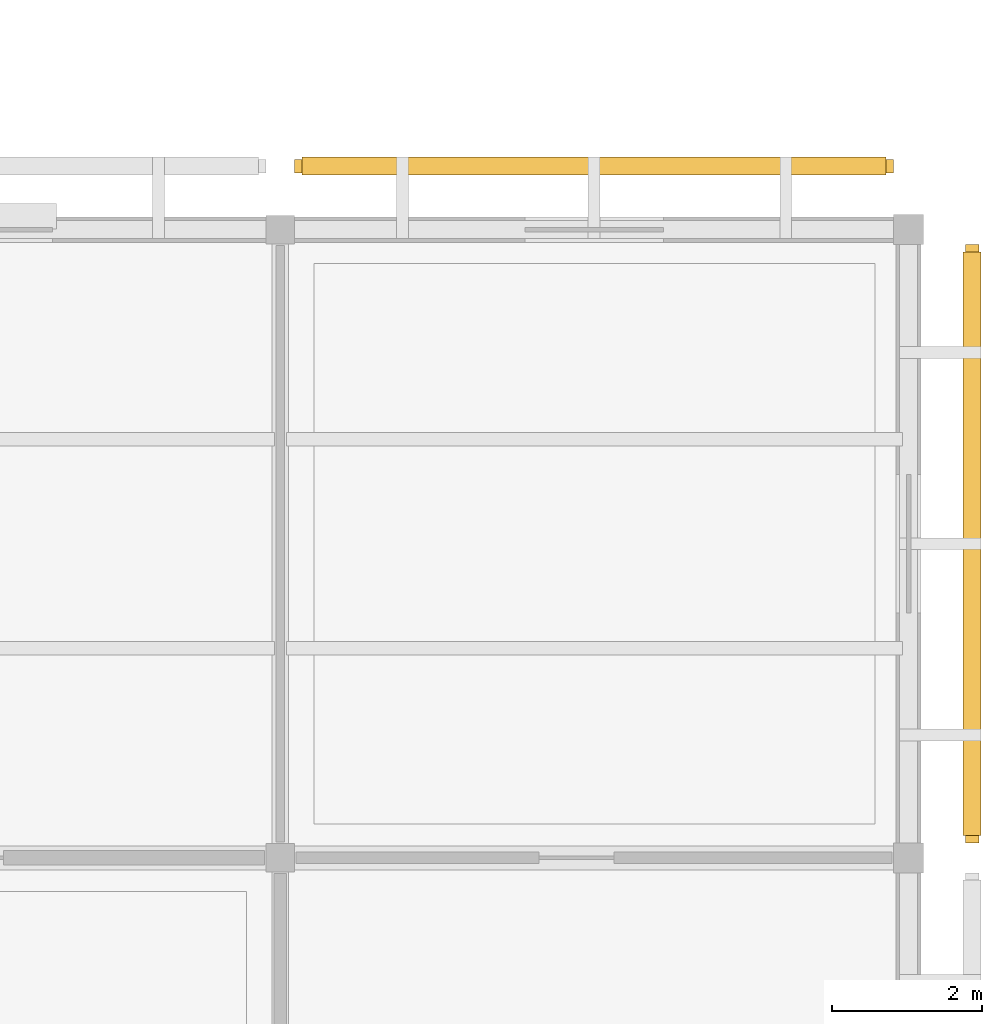
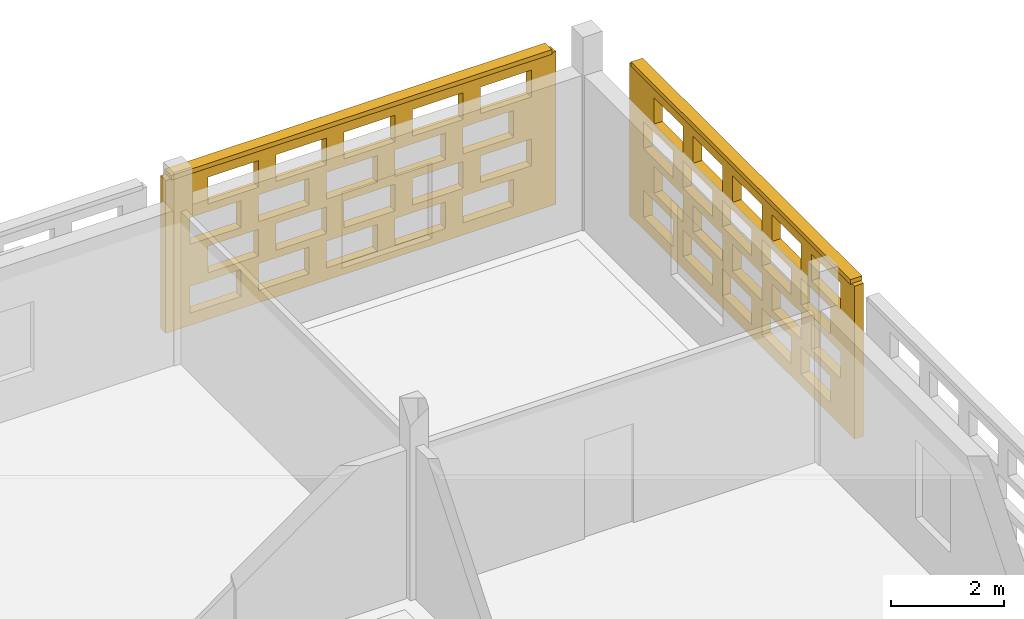
# One storey, part 140 of 140: 2 coverings, 2 shading devices, 40 openings.
"""IFC4 building model written with IfcOpenShell, lengths in metres."""

from ifc_helpers import new_model, si_unit, direction, frame, frame_2d, origin, origin_2d, place, context, subcontext, project, spatial, rectangle, extrude, material, layer, layer_set, type_object, element, save


model = new_model("IFC4")

# Units and contexts
model_context = context("Model", 3, precision=1e-05, world=origin(), true_north=direction((0.0, 1.0)))
body_context = subcontext(model_context, "Body", "Model", "MODEL_VIEW")
ifc_project = project(units=[si_unit("LENGTHUNIT", "METRE"), si_unit("AREAUNIT", "SQUARE_METRE"), si_unit("VOLUMEUNIT", "CUBIC_METRE"), si_unit("PLANEANGLEUNIT", "RADIAN"), si_unit("MASSUNIT", "GRAM", prefix="KILO")], contexts=[model_context])

# Site, building, storey
site_placement = place(None, origin())
site = spatial("IfcSite", under=ifc_project, at=site_placement, CompositionType="ELEMENT")
building_placement = place(site_placement, origin())
building = spatial("IfcBuilding", under=site, at=building_placement, Name="Varnapada Polytechnic", CompositionType="ELEMENT")
storey_placement = place(building_placement, frame((0.0, 0.0, 13.800048828125)))
storey = spatial("IfcBuildingStorey", under=building, at=storey_placement, Name="L03", CompositionType="ELEMENT", Elevation=13.800048828125)

# Covering, openings
ifc_material = material(Name="Earth-toned architectural terracotta screen block", Category="masonry")
ifc_layer_1 = layer(ifc_material, 0.1201171875)
ifc_layer_set_1 = layer_set([ifc_layer_1], Name="Earth-toned architectural terracotta screen block")
covering_type = type_object("IfcCoveringType", Name="Terracotta Screen Cladding CLD-01", PredefinedType="CLADDING", material=ifc_layer_set_1)
covering_1_placement = place(storey_placement, frame((168.18994140625, 118.449951171875, 0.0), z_axis=(0.0, 0.0, 1.0), x_axis=(1.0, 0.0, 0.0)))
covering_1 = element("IfcCovering", 1, at=covering_1_placement, inside=storey, type_object=covering_type, Name="L03 perforated terracotta block screen (99)", PredefinedType="CLADDING", context=body_context, shape_type="SweptSolid", body=[
    extrude(rectangle(XDim=8.010009765625, YDim=0.179931640625, at=frame_2d((4.0048828125, 0.0))), origin(), (0.0, 0.0, 1.0), 3.320068359375),
])
opening_1_placement = place(covering_1_placement, frame((0.5048828125, 0.0, 0.265625)))
element("IfcOpeningElement", 2, at=opening_1_placement, cuts=covering_1, Name="Screen perforation TBS-L03-098.1", PredefinedType="OPENING", context=body_context, shape_type="SweptSolid", body=[
    extrude(rectangle(XDim=1.0400390625, YDim=0.5810546875, at=frame_2d((0.52001953125, 0.29052734375))), frame((0.0, 0.099853515625, 0.0), z_axis=(0.0, -1.0, 0.0), x_axis=(1.0, 0.0, 0.0)), (0.0, 0.0, 1.0), 0.199951171875),
])
opening_2_placement = place(covering_1_placement, frame((1.905029296875, 0.0, 0.265625)))
element("IfcOpeningElement", 3, at=opening_2_placement, cuts=covering_1, Name="Screen perforation TBS-L03-098.2", PredefinedType="OPENING", context=body_context, shape_type="SweptSolid", body=[
    extrude(rectangle(XDim=1.0400390625, YDim=0.5810546875, at=frame_2d((0.52001953125, 0.29052734375))), frame((0.0, 0.099853515625, 0.0), z_axis=(0.0, -1.0, 0.0), x_axis=(1.0, 0.0, 0.0)), (0.0, 0.0, 1.0), 0.199951171875),
])
opening_3_placement = place(covering_1_placement, frame((3.304931640625, 0.0, 0.265625)))
element("IfcOpeningElement", 4, at=opening_3_placement, cuts=covering_1, Name="Screen perforation TBS-L03-098.3", PredefinedType="OPENING", context=body_context, shape_type="SweptSolid", body=[
    extrude(rectangle(XDim=1.0400390625, YDim=0.5810546875, at=frame_2d((0.52001953125, 0.29052734375))), frame((0.0, 0.099853515625, 0.0), z_axis=(0.0, -1.0, 0.0), x_axis=(1.0, 0.0, 0.0)), (0.0, 0.0, 1.0), 0.199951171875),
])
opening_4_placement = place(covering_1_placement, frame((4.705078125, 0.0, 0.265625)))
element("IfcOpeningElement", 5, at=opening_4_placement, cuts=covering_1, Name="Screen perforation TBS-L03-098.4", PredefinedType="OPENING", context=body_context, shape_type="SweptSolid", body=[
    extrude(rectangle(XDim=1.0400390625, YDim=0.5810546875, at=frame_2d((0.52001953125, 0.29052734375))), frame((0.0, 0.099853515625, 0.0), z_axis=(0.0, -1.0, 0.0), x_axis=(1.0, 0.0, 0.0)), (0.0, 0.0, 1.0), 0.199951171875),
])
opening_5_placement = place(covering_1_placement, frame((6.10498046875, 0.0, 0.265625)))
element("IfcOpeningElement", 6, at=opening_5_placement, cuts=covering_1, Name="Screen perforation TBS-L03-098.5", PredefinedType="OPENING", context=body_context, shape_type="SweptSolid", body=[
    extrude(rectangle(XDim=1.0400390625, YDim=0.5810546875, at=frame_2d((0.52001953125, 0.29052734375))), frame((0.0, 0.099853515625, 0.0), z_axis=(0.0, -1.0, 0.0), x_axis=(1.0, 0.0, 0.0)), (0.0, 0.0, 1.0), 0.199951171875),
])
opening_6_placement = place(covering_1_placement, frame((0.864990234375, 0.0, 1.0126953125)))
element("IfcOpeningElement", 7, at=opening_6_placement, cuts=covering_1, Name="Screen perforation TBS-L03-098.6", PredefinedType="OPENING", context=body_context, shape_type="SweptSolid", body=[
    extrude(rectangle(XDim=1.0400390625, YDim=0.5810546875, at=frame_2d((0.52001953125, 0.29052734375))), frame((0.0, 0.099853515625, 0.0), z_axis=(0.0, -1.0, 0.0), x_axis=(1.0, 0.0, 0.0)), (0.0, 0.0, 1.0), 0.199951171875),
])
opening_7_placement = place(covering_1_placement, frame((2.264892578125, 0.0, 1.0126953125)))
element("IfcOpeningElement", 8, at=opening_7_placement, cuts=covering_1, Name="Screen perforation TBS-L03-098.7", PredefinedType="OPENING", context=body_context, shape_type="SweptSolid", body=[
    extrude(rectangle(XDim=1.0400390625, YDim=0.5810546875, at=frame_2d((0.52001953125, 0.29052734375))), frame((0.0, 0.099853515625, 0.0), z_axis=(0.0, -1.0, 0.0), x_axis=(1.0, 0.0, 0.0)), (0.0, 0.0, 1.0), 0.199951171875),
])
opening_8_placement = place(covering_1_placement, frame((3.6650390625, 0.0, 1.0126953125)))
element("IfcOpeningElement", 9, at=opening_8_placement, cuts=covering_1, Name="Screen perforation TBS-L03-098.8", PredefinedType="OPENING", context=body_context, shape_type="SweptSolid", body=[
    extrude(rectangle(XDim=1.0400390625, YDim=0.5810546875, at=frame_2d((0.52001953125, 0.29052734375))), frame((0.0, 0.099853515625, 0.0), z_axis=(0.0, -1.0, 0.0), x_axis=(1.0, 0.0, 0.0)), (0.0, 0.0, 1.0), 0.199951171875),
])
opening_9_placement = place(covering_1_placement, frame((5.06494140625, 0.0, 1.0126953125)))
element("IfcOpeningElement", 10, at=opening_9_placement, cuts=covering_1, Name="Screen perforation TBS-L03-098.9", PredefinedType="OPENING", context=body_context, shape_type="SweptSolid", body=[
    extrude(rectangle(XDim=1.0400390625, YDim=0.5810546875, at=frame_2d((0.52001953125, 0.29052734375))), frame((0.0, 0.099853515625, 0.0), z_axis=(0.0, -1.0, 0.0), x_axis=(1.0, 0.0, 0.0)), (0.0, 0.0, 1.0), 0.199951171875),
])
opening_10_placement = place(covering_1_placement, frame((6.465087890625, 0.0, 1.0126953125)))
element("IfcOpeningElement", 11, at=opening_10_placement, cuts=covering_1, Name="Screen perforation TBS-L03-098.10", PredefinedType="OPENING", context=body_context, shape_type="SweptSolid", body=[
    extrude(rectangle(XDim=1.0400390625, YDim=0.5810546875, at=frame_2d((0.52001953125, 0.29052734375))), frame((0.0, 0.099853515625, 0.0), z_axis=(0.0, -1.0, 0.0), x_axis=(1.0, 0.0, 0.0)), (0.0, 0.0, 1.0), 0.199951171875),
])
opening_11_placement = place(covering_1_placement, frame((0.5048828125, 0.0, 1.759521484375)))
element("IfcOpeningElement", 12, at=opening_11_placement, cuts=covering_1, Name="Screen perforation TBS-L03-098.11", PredefinedType="OPENING", context=body_context, shape_type="SweptSolid", body=[
    extrude(rectangle(XDim=1.0400390625, YDim=0.5810546875, at=frame_2d((0.52001953125, 0.29052734375))), frame((0.0, 0.099853515625, 0.0), z_axis=(0.0, -1.0, 0.0), x_axis=(1.0, 0.0, 0.0)), (0.0, 0.0, 1.0), 0.199951171875),
])
opening_12_placement = place(covering_1_placement, frame((1.905029296875, 0.0, 1.759521484375)))
element("IfcOpeningElement", 13, at=opening_12_placement, cuts=covering_1, Name="Screen perforation TBS-L03-098.12", PredefinedType="OPENING", context=body_context, shape_type="SweptSolid", body=[
    extrude(rectangle(XDim=1.0400390625, YDim=0.5810546875, at=frame_2d((0.52001953125, 0.29052734375))), frame((0.0, 0.099853515625, 0.0), z_axis=(0.0, -1.0, 0.0), x_axis=(1.0, 0.0, 0.0)), (0.0, 0.0, 1.0), 0.199951171875),
])
opening_13_placement = place(covering_1_placement, frame((3.304931640625, 0.0, 1.759521484375)))
element("IfcOpeningElement", 14, at=opening_13_placement, cuts=covering_1, Name="Screen perforation TBS-L03-098.13", PredefinedType="OPENING", context=body_context, shape_type="SweptSolid", body=[
    extrude(rectangle(XDim=1.0400390625, YDim=0.5810546875, at=frame_2d((0.52001953125, 0.29052734375))), frame((0.0, 0.099853515625, 0.0), z_axis=(0.0, -1.0, 0.0), x_axis=(1.0, 0.0, 0.0)), (0.0, 0.0, 1.0), 0.199951171875),
])
opening_14_placement = place(covering_1_placement, frame((4.705078125, 0.0, 1.759521484375)))
element("IfcOpeningElement", 15, at=opening_14_placement, cuts=covering_1, Name="Screen perforation TBS-L03-098.14", PredefinedType="OPENING", context=body_context, shape_type="SweptSolid", body=[
    extrude(rectangle(XDim=1.0400390625, YDim=0.5810546875, at=frame_2d((0.52001953125, 0.29052734375))), frame((0.0, 0.099853515625, 0.0), z_axis=(0.0, -1.0, 0.0), x_axis=(1.0, 0.0, 0.0)), (0.0, 0.0, 1.0), 0.199951171875),
])
opening_15_placement = place(covering_1_placement, frame((6.10498046875, 0.0, 1.759521484375)))
element("IfcOpeningElement", 16, at=opening_15_placement, cuts=covering_1, Name="Screen perforation TBS-L03-098.15", PredefinedType="OPENING", context=body_context, shape_type="SweptSolid", body=[
    extrude(rectangle(XDim=1.0400390625, YDim=0.5810546875, at=frame_2d((0.52001953125, 0.29052734375))), frame((0.0, 0.099853515625, 0.0), z_axis=(0.0, -1.0, 0.0), x_axis=(1.0, 0.0, 0.0)), (0.0, 0.0, 1.0), 0.199951171875),
])
opening_16_placement = place(covering_1_placement, frame((0.864990234375, 0.0, 2.506591796875)))
element("IfcOpeningElement", 17, at=opening_16_placement, cuts=covering_1, Name="Screen perforation TBS-L03-098.16", PredefinedType="OPENING", context=body_context, shape_type="SweptSolid", body=[
    extrude(rectangle(XDim=1.0400390625, YDim=0.5810546875, at=frame_2d((0.52001953125, 0.29052734375))), frame((0.0, 0.099853515625, 0.0), z_axis=(0.0, -1.0, 0.0), x_axis=(1.0, 0.0, 0.0)), (0.0, 0.0, 1.0), 0.199951171875),
])
opening_17_placement = place(covering_1_placement, frame((2.264892578125, 0.0, 2.506591796875)))
element("IfcOpeningElement", 18, at=opening_17_placement, cuts=covering_1, Name="Screen perforation TBS-L03-098.17", PredefinedType="OPENING", context=body_context, shape_type="SweptSolid", body=[
    extrude(rectangle(XDim=1.0400390625, YDim=0.5810546875, at=frame_2d((0.52001953125, 0.29052734375))), frame((0.0, 0.099853515625, 0.0), z_axis=(0.0, -1.0, 0.0), x_axis=(1.0, 0.0, 0.0)), (0.0, 0.0, 1.0), 0.199951171875),
])
opening_18_placement = place(covering_1_placement, frame((3.6650390625, 0.0, 2.506591796875)))
element("IfcOpeningElement", 19, at=opening_18_placement, cuts=covering_1, Name="Screen perforation TBS-L03-098.18", PredefinedType="OPENING", context=body_context, shape_type="SweptSolid", body=[
    extrude(rectangle(XDim=1.0400390625, YDim=0.5810546875, at=frame_2d((0.52001953125, 0.29052734375))), frame((0.0, 0.099853515625, 0.0), z_axis=(0.0, -1.0, 0.0), x_axis=(1.0, 0.0, 0.0)), (0.0, 0.0, 1.0), 0.199951171875),
])
opening_19_placement = place(covering_1_placement, frame((5.06494140625, 0.0, 2.506591796875)))
element("IfcOpeningElement", 20, at=opening_19_placement, cuts=covering_1, Name="Screen perforation TBS-L03-098.19", PredefinedType="OPENING", context=body_context, shape_type="SweptSolid", body=[
    extrude(rectangle(XDim=1.0400390625, YDim=0.5810546875, at=frame_2d((0.52001953125, 0.29052734375))), frame((0.0, 0.099853515625, 0.0), z_axis=(0.0, -1.0, 0.0), x_axis=(1.0, 0.0, 0.0)), (0.0, 0.0, 1.0), 0.199951171875),
])
opening_20_placement = place(covering_1_placement, frame((6.465087890625, 0.0, 2.506591796875)))
element("IfcOpeningElement", 21, at=opening_20_placement, cuts=covering_1, Name="Screen perforation TBS-L03-098.20", PredefinedType="OPENING", context=body_context, shape_type="SweptSolid", body=[
    extrude(rectangle(XDim=1.0400390625, YDim=0.5810546875, at=frame_2d((0.52001953125, 0.29052734375))), frame((0.0, 0.099853515625, 0.0), z_axis=(0.0, -1.0, 0.0), x_axis=(1.0, 0.0, 0.0)), (0.0, 0.0, 1.0), 0.199951171875),
])

covering_2_placement = place(storey_placement, frame((177.25, 117.39990234375, 0.0), z_axis=(0.0, 0.0, 1.0), x_axis=(0.0, -1.0, 0.0)))
covering_2 = element("IfcCovering", 22, at=covering_2_placement, inside=storey, type_object=covering_type, Name="L03 perforated terracotta block screen (100)", PredefinedType="CLADDING", context=body_context, shape_type="SweptSolid", body=[
    extrude(rectangle(XDim=8.0, YDim=0.179931640625, at=frame_2d((4.0, 0.0))), origin(), (0.0, 0.0, 1.0), 3.320068359375),
])
opening_21_placement = place(covering_2_placement, frame((0.5, 0.0, 0.265625)))
element("IfcOpeningElement", 23, at=opening_21_placement, cuts=covering_2, Name="Screen perforation TBS-L03-099.1", PredefinedType="OPENING", context=body_context, shape_type="SweptSolid", body=[
    extrude(rectangle(XDim=1.0400390625, YDim=0.5810546875, at=frame_2d((0.52001953125, 0.29052734375))), frame((0.0, 0.099853515625, 0.0), z_axis=(0.0, -1.0, 0.0), x_axis=(1.0, 0.0, 0.0)), (0.0, 0.0, 1.0), 0.199951171875),
])
opening_22_placement = place(covering_2_placement, frame((1.89990234375, 0.0, 0.265625)))
element("IfcOpeningElement", 24, at=opening_22_placement, cuts=covering_2, Name="Screen perforation TBS-L03-099.2", PredefinedType="OPENING", context=body_context, shape_type="SweptSolid", body=[
    extrude(rectangle(XDim=1.0400390625, YDim=0.5810546875, at=frame_2d((0.52001953125, 0.29052734375))), frame((0.0, 0.099853515625, 0.0), z_axis=(0.0, -1.0, 0.0), x_axis=(1.0, 0.0, 0.0)), (0.0, 0.0, 1.0), 0.199951171875),
])
opening_23_placement = place(covering_2_placement, frame((3.300048828125, 0.0, 0.265625)))
element("IfcOpeningElement", 25, at=opening_23_placement, cuts=covering_2, Name="Screen perforation TBS-L03-099.3", PredefinedType="OPENING", context=body_context, shape_type="SweptSolid", body=[
    extrude(rectangle(XDim=1.0400390625, YDim=0.5810546875, at=frame_2d((0.52001953125, 0.29052734375))), frame((0.0, 0.099853515625, 0.0), z_axis=(0.0, -1.0, 0.0), x_axis=(1.0, 0.0, 0.0)), (0.0, 0.0, 1.0), 0.199951171875),
])
opening_24_placement = place(covering_2_placement, frame((4.699951171875, 0.0, 0.265625)))
element("IfcOpeningElement", 26, at=opening_24_placement, cuts=covering_2, Name="Screen perforation TBS-L03-099.4", PredefinedType="OPENING", context=body_context, shape_type="SweptSolid", body=[
    extrude(rectangle(XDim=1.0400390625, YDim=0.5810546875, at=frame_2d((0.52001953125, 0.29052734375))), frame((0.0, 0.099853515625, 0.0), z_axis=(0.0, -1.0, 0.0), x_axis=(1.0, 0.0, 0.0)), (0.0, 0.0, 1.0), 0.199951171875),
])
opening_25_placement = place(covering_2_placement, frame((6.10009765625, 0.0, 0.265625)))
element("IfcOpeningElement", 27, at=opening_25_placement, cuts=covering_2, Name="Screen perforation TBS-L03-099.5", PredefinedType="OPENING", context=body_context, shape_type="SweptSolid", body=[
    extrude(rectangle(XDim=1.0400390625, YDim=0.5810546875, at=frame_2d((0.52001953125, 0.29052734375))), frame((0.0, 0.099853515625, 0.0), z_axis=(0.0, -1.0, 0.0), x_axis=(1.0, 0.0, 0.0)), (0.0, 0.0, 1.0), 0.199951171875),
])
opening_26_placement = place(covering_2_placement, frame((0.860107421875, 0.0, 1.0126953125)))
element("IfcOpeningElement", 28, at=opening_26_placement, cuts=covering_2, Name="Screen perforation TBS-L03-099.6", PredefinedType="OPENING", context=body_context, shape_type="SweptSolid", body=[
    extrude(rectangle(XDim=1.0400390625, YDim=0.5810546875, at=frame_2d((0.52001953125, 0.29052734375))), frame((0.0, 0.099853515625, 0.0), z_axis=(0.0, -1.0, 0.0), x_axis=(1.0, 0.0, 0.0)), (0.0, 0.0, 1.0), 0.199951171875),
])
opening_27_placement = place(covering_2_placement, frame((2.260009765625, 0.0, 1.0126953125)))
element("IfcOpeningElement", 29, at=opening_27_placement, cuts=covering_2, Name="Screen perforation TBS-L03-099.7", PredefinedType="OPENING", context=body_context, shape_type="SweptSolid", body=[
    extrude(rectangle(XDim=1.0400390625, YDim=0.5810546875, at=frame_2d((0.52001953125, 0.29052734375))), frame((0.0, 0.099853515625, 0.0), z_axis=(0.0, -1.0, 0.0), x_axis=(1.0, 0.0, 0.0)), (0.0, 0.0, 1.0), 0.199951171875),
])
opening_28_placement = place(covering_2_placement, frame((3.659912109375, 0.0, 1.0126953125)))
element("IfcOpeningElement", 30, at=opening_28_placement, cuts=covering_2, Name="Screen perforation TBS-L03-099.8", PredefinedType="OPENING", context=body_context, shape_type="SweptSolid", body=[
    extrude(rectangle(XDim=1.0400390625, YDim=0.5810546875, at=frame_2d((0.52001953125, 0.29052734375))), frame((0.0, 0.099853515625, 0.0), z_axis=(0.0, -1.0, 0.0), x_axis=(1.0, 0.0, 0.0)), (0.0, 0.0, 1.0), 0.199951171875),
])
opening_29_placement = place(covering_2_placement, frame((5.06005859375, 0.0, 1.0126953125)))
element("IfcOpeningElement", 31, at=opening_29_placement, cuts=covering_2, Name="Screen perforation TBS-L03-099.9", PredefinedType="OPENING", context=body_context, shape_type="SweptSolid", body=[
    extrude(rectangle(XDim=1.0400390625, YDim=0.5810546875, at=frame_2d((0.52001953125, 0.29052734375))), frame((0.0, 0.099853515625, 0.0), z_axis=(0.0, -1.0, 0.0), x_axis=(1.0, 0.0, 0.0)), (0.0, 0.0, 1.0), 0.199951171875),
])
opening_30_placement = place(covering_2_placement, frame((6.4599609375, 0.0, 1.0126953125)))
element("IfcOpeningElement", 32, at=opening_30_placement, cuts=covering_2, Name="Screen perforation TBS-L03-099.10", PredefinedType="OPENING", context=body_context, shape_type="SweptSolid", body=[
    extrude(rectangle(XDim=1.0400390625, YDim=0.5810546875, at=frame_2d((0.52001953125, 0.29052734375))), frame((0.0, 0.099853515625, 0.0), z_axis=(0.0, -1.0, 0.0), x_axis=(1.0, 0.0, 0.0)), (0.0, 0.0, 1.0), 0.199951171875),
])
opening_31_placement = place(covering_2_placement, frame((0.5, 0.0, 1.759521484375)))
element("IfcOpeningElement", 33, at=opening_31_placement, cuts=covering_2, Name="Screen perforation TBS-L03-099.11", PredefinedType="OPENING", context=body_context, shape_type="SweptSolid", body=[
    extrude(rectangle(XDim=1.0400390625, YDim=0.5810546875, at=frame_2d((0.52001953125, 0.29052734375))), frame((0.0, 0.099853515625, 0.0), z_axis=(0.0, -1.0, 0.0), x_axis=(1.0, 0.0, 0.0)), (0.0, 0.0, 1.0), 0.199951171875),
])
opening_32_placement = place(covering_2_placement, frame((1.89990234375, 0.0, 1.759521484375)))
element("IfcOpeningElement", 34, at=opening_32_placement, cuts=covering_2, Name="Screen perforation TBS-L03-099.12", PredefinedType="OPENING", context=body_context, shape_type="SweptSolid", body=[
    extrude(rectangle(XDim=1.0400390625, YDim=0.5810546875, at=frame_2d((0.52001953125, 0.29052734375))), frame((0.0, 0.099853515625, 0.0), z_axis=(0.0, -1.0, 0.0), x_axis=(1.0, 0.0, 0.0)), (0.0, 0.0, 1.0), 0.199951171875),
])
opening_33_placement = place(covering_2_placement, frame((3.300048828125, 0.0, 1.759521484375)))
element("IfcOpeningElement", 35, at=opening_33_placement, cuts=covering_2, Name="Screen perforation TBS-L03-099.13", PredefinedType="OPENING", context=body_context, shape_type="SweptSolid", body=[
    extrude(rectangle(XDim=1.0400390625, YDim=0.5810546875, at=frame_2d((0.52001953125, 0.29052734375))), frame((0.0, 0.099853515625, 0.0), z_axis=(0.0, -1.0, 0.0), x_axis=(1.0, 0.0, 0.0)), (0.0, 0.0, 1.0), 0.199951171875),
])
opening_34_placement = place(covering_2_placement, frame((4.699951171875, 0.0, 1.759521484375)))
element("IfcOpeningElement", 36, at=opening_34_placement, cuts=covering_2, Name="Screen perforation TBS-L03-099.14", PredefinedType="OPENING", context=body_context, shape_type="SweptSolid", body=[
    extrude(rectangle(XDim=1.0400390625, YDim=0.5810546875, at=frame_2d((0.52001953125, 0.29052734375))), frame((0.0, 0.099853515625, 0.0), z_axis=(0.0, -1.0, 0.0), x_axis=(1.0, 0.0, 0.0)), (0.0, 0.0, 1.0), 0.199951171875),
])
opening_35_placement = place(covering_2_placement, frame((6.10009765625, 0.0, 1.759521484375)))
element("IfcOpeningElement", 37, at=opening_35_placement, cuts=covering_2, Name="Screen perforation TBS-L03-099.15", PredefinedType="OPENING", context=body_context, shape_type="SweptSolid", body=[
    extrude(rectangle(XDim=1.0400390625, YDim=0.5810546875, at=frame_2d((0.52001953125, 0.29052734375))), frame((0.0, 0.099853515625, 0.0), z_axis=(0.0, -1.0, 0.0), x_axis=(1.0, 0.0, 0.0)), (0.0, 0.0, 1.0), 0.199951171875),
])
opening_36_placement = place(covering_2_placement, frame((0.860107421875, 0.0, 2.506591796875)))
element("IfcOpeningElement", 38, at=opening_36_placement, cuts=covering_2, Name="Screen perforation TBS-L03-099.16", PredefinedType="OPENING", context=body_context, shape_type="SweptSolid", body=[
    extrude(rectangle(XDim=1.0400390625, YDim=0.5810546875, at=frame_2d((0.52001953125, 0.29052734375))), frame((0.0, 0.099853515625, 0.0), z_axis=(0.0, -1.0, 0.0), x_axis=(1.0, 0.0, 0.0)), (0.0, 0.0, 1.0), 0.199951171875),
])
opening_37_placement = place(covering_2_placement, frame((2.260009765625, 0.0, 2.506591796875)))
element("IfcOpeningElement", 39, at=opening_37_placement, cuts=covering_2, Name="Screen perforation TBS-L03-099.17", PredefinedType="OPENING", context=body_context, shape_type="SweptSolid", body=[
    extrude(rectangle(XDim=1.0400390625, YDim=0.5810546875, at=frame_2d((0.52001953125, 0.29052734375))), frame((0.0, 0.099853515625, 0.0), z_axis=(0.0, -1.0, 0.0), x_axis=(1.0, 0.0, 0.0)), (0.0, 0.0, 1.0), 0.199951171875),
])
opening_38_placement = place(covering_2_placement, frame((3.659912109375, 0.0, 2.506591796875)))
element("IfcOpeningElement", 40, at=opening_38_placement, cuts=covering_2, Name="Screen perforation TBS-L03-099.18", PredefinedType="OPENING", context=body_context, shape_type="SweptSolid", body=[
    extrude(rectangle(XDim=1.0400390625, YDim=0.5810546875, at=frame_2d((0.52001953125, 0.29052734375))), frame((0.0, 0.099853515625, 0.0), z_axis=(0.0, -1.0, 0.0), x_axis=(1.0, 0.0, 0.0)), (0.0, 0.0, 1.0), 0.199951171875),
])
opening_39_placement = place(covering_2_placement, frame((5.06005859375, 0.0, 2.506591796875)))
element("IfcOpeningElement", 41, at=opening_39_placement, cuts=covering_2, Name="Screen perforation TBS-L03-099.19", PredefinedType="OPENING", context=body_context, shape_type="SweptSolid", body=[
    extrude(rectangle(XDim=1.0400390625, YDim=0.5810546875, at=frame_2d((0.52001953125, 0.29052734375))), frame((0.0, 0.099853515625, 0.0), z_axis=(0.0, -1.0, 0.0), x_axis=(1.0, 0.0, 0.0)), (0.0, 0.0, 1.0), 0.199951171875),
])
opening_40_placement = place(covering_2_placement, frame((6.4599609375, 0.0, 2.506591796875)))
element("IfcOpeningElement", 42, at=opening_40_placement, cuts=covering_2, Name="Screen perforation TBS-L03-099.20", PredefinedType="OPENING", context=body_context, shape_type="SweptSolid", body=[
    extrude(rectangle(XDim=1.0400390625, YDim=0.5810546875, at=frame_2d((0.52001953125, 0.29052734375))), frame((0.0, 0.099853515625, 0.0), z_axis=(0.0, -1.0, 0.0), x_axis=(1.0, 0.0, 0.0)), (0.0, 0.0, 1.0), 0.199951171875),
])

# Shading devices
ifc_layer_2 = layer(ifc_material, 0.179931640625)
ifc_layer_set_2 = layer_set([ifc_layer_2], Name="Earth-toned architectural terracotta screen block")
shading_device_type = type_object("IfcShadingDeviceType", Name="Terracotta Screen SCR-01", PredefinedType="USERDEFINED", material=ifc_layer_set_2)
shading_device_1_placement = place(storey_placement, frame((172.195068359375, 118.449951171875, 3.309814453125), z_axis=(0.0, 0.0, 1.0), x_axis=(1.0, 0.0, 0.0)))
element("IfcShadingDevice", 43, at=shading_device_1_placement, inside=storey, type_object=shading_device_type, Name="L03 perforated terracotta screen hood 421", ObjectType="SCREEN", PredefinedType="USERDEFINED", context=body_context, shape_type="SweptSolid", body=[
    extrude(rectangle(XDim=7.81005859375, YDim=0.239990234375, at=origin_2d()), origin(), (0.0, 0.0, 1.0), 0.10009765625),
])
shading_device_2_placement = place(storey_placement, frame((177.25, 113.39990234375, 3.309814453125), z_axis=(0.0, 0.0, 1.0), x_axis=(0.0, -1.0, 0.0)))
element("IfcShadingDevice", 44, at=shading_device_2_placement, inside=storey, type_object=shading_device_type, Name="L03 perforated terracotta screen hood 422", ObjectType="SCREEN", PredefinedType="USERDEFINED", context=body_context, shape_type="SweptSolid", body=[
    extrude(rectangle(XDim=7.800048828125, YDim=0.239990234375, at=origin_2d()), origin(), (0.0, 0.0, 1.0), 0.10009765625),
])

save(model, "model.ifc")
